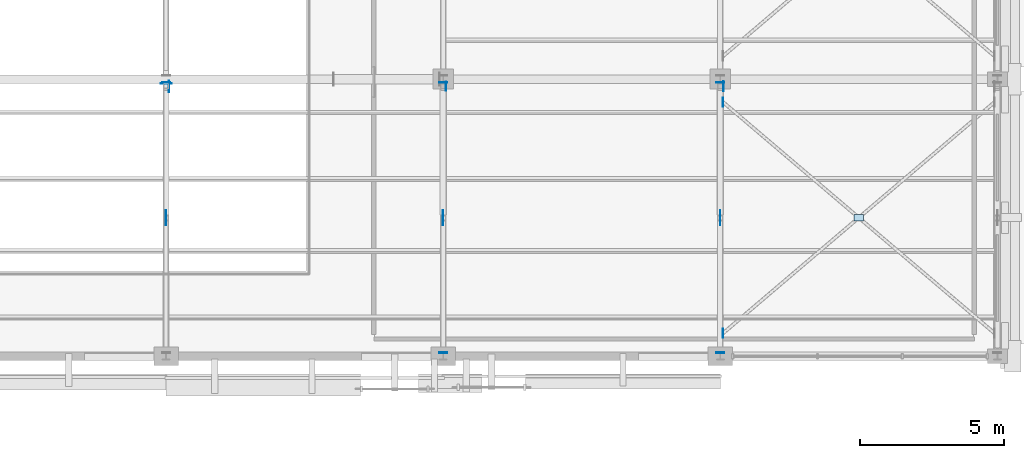
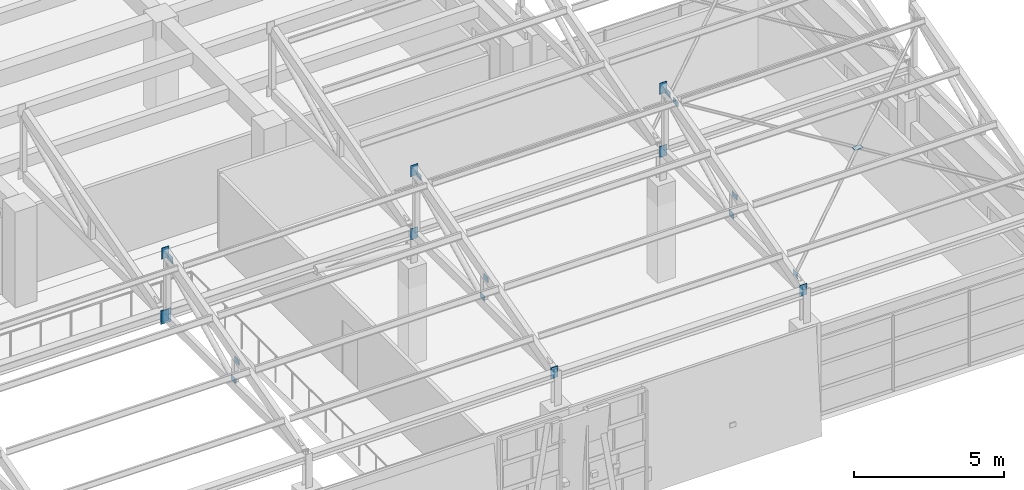
# One storey, part 40 of 58: 21 plates.
"""IFC4 building model written with IfcOpenShell, lengths in metres."""

from ifc_helpers import new_model, si_unit, direction, frame, origin, origin_2d, place, context, subcontext, project, spatial, rectangle, extrude, material, layer, layer_set, type_object, element, save


model = new_model("IFC4")

# Units and contexts
model_context = context("Model", 3, precision=1e-05, world=origin(), true_north=direction((0.0, 1.0)))
body_context = subcontext(model_context, "Body", "Model", "MODEL_VIEW")
ifc_project = project(units=[si_unit("LENGTHUNIT", "METRE"), si_unit("AREAUNIT", "SQUARE_METRE"), si_unit("VOLUMEUNIT", "CUBIC_METRE"), si_unit("PLANEANGLEUNIT", "RADIAN"), si_unit("MASSUNIT", "GRAM", prefix="KILO")], contexts=[model_context])

# Site, building, storey
site_placement = place(None, origin())
site = spatial("IfcSite", under=ifc_project, at=site_placement, CompositionType="ELEMENT")
building_placement = place(site_placement, origin())
building = spatial("IfcBuilding", under=site, at=building_placement, Name="Bempovik Park Faculty of Sciences", CompositionType="ELEMENT")
storey_placement = place(building_placement, frame((0.0, 0.0, 18.300048828125)))
storey = spatial("IfcBuildingStorey", under=building, at=storey_placement, Name="L04", CompositionType="ELEMENT", Elevation=18.300048828125)

# Plates
ifc_material = material(Name="Steel S355", Category="steel")
ifc_layer_1 = layer(ifc_material, 0.01611328125)
ifc_layer_set_1 = layer_set([ifc_layer_1], Name="Steel S355")
plate_type_1 = type_object("IfcPlateType", Name="PL-18 Steel Plate 400x280x16", PredefinedType="SHEET", material=ifc_layer_set_1)
plate_1_placement = place(storey_placement, frame((98.506103515625, 77.14990234375, 7.4345703125), z_axis=(0.0, 0.0, 1.0), x_axis=(1.0, 0.0, 0.0)))
element("IfcPlate", 1, at=plate_1_placement, inside=storey, type_object=plate_type_1, Name="Sawtooth Ridge Gusset Plate V2-B1-98.4", PredefinedType="SHEET", context=body_context, shape_type="SweptSolid", body=[
    extrude(rectangle(XDim=0.01611328125, YDim=0.39990234375, at=origin_2d()), origin(), (0.0, 0.0, 1.0), 0.280029296875),
])
ifc_layer_2 = layer(ifc_material, 0.01611328125)
ifc_layer_set_2 = layer_set([ifc_layer_2], Name="Steel S355")
plate_type_2 = type_object("IfcPlateType", Name="PL-19 Steel Plate 350x240x16", PredefinedType="USERDEFINED", material=ifc_layer_set_2)
plate_2_placement = place(storey_placement, frame((117.7060546875, 77.14990234375, 7.45458984375), z_axis=(0.0, 0.0, 1.0), x_axis=(1.0, 0.0, 0.0)))
element("IfcPlate", 2, at=plate_2_placement, inside=storey, type_object=plate_type_2, Name="Sawtooth Ridge Gusset Plate V2-B1-117.6", ObjectType="STIFFENER PLATE", PredefinedType="USERDEFINED", context=body_context, shape_type="SweptSolid", body=[
    extrude(rectangle(XDim=0.01611328125, YDim=0.35009765625, at=origin_2d()), origin(), (0.0, 0.0, 1.0), 0.239990234375),
])
ifc_layer_3 = layer(ifc_material, 0.02392578125)
ifc_layer_set_3 = layer_set([ifc_layer_3], Name="Steel S355")
plate_type_3 = type_object("IfcPlateType", Name="PL-25 Steel Plate 560x380x24", PredefinedType="SHEET", material=ifc_layer_set_3)
plate_3_placement = place(storey_placement, frame((98.39990234375, 77.251953125, 4.89990234375), z_axis=(0.0, 0.0, 1.0), x_axis=(1.0, 0.0, 0.0)))
element("IfcPlate", 3, at=plate_3_placement, inside=storey, type_object=plate_type_3, Name="V2 Sawtooth Bottom Chord End Cap (98.4)", PredefinedType="SHEET", context=body_context, shape_type="SweptSolid", body=[
    extrude(rectangle(XDim=0.3798828125, YDim=0.02392578125, at=origin_2d()), origin(), (0.0, 0.0, 1.0), 0.56005859375),
])
ifc_layer_4 = layer(ifc_material, 0.011962890625)
ifc_layer_set_4 = layer_set([ifc_layer_4], Name="Steel S355")
plate_type_4 = type_object("IfcPlateType", Name="PL-26 Steel Plate 320x220x12", PredefinedType="SHEET", material=ifc_layer_set_4)
plate_4_placement = place(storey_placement, frame((108.10400390625, 77.14990234375, 7.46435546875), z_axis=(0.0, 0.0, 1.0), x_axis=(1.0, 0.0, 0.0)))
element("IfcPlate", 4, at=plate_4_placement, inside=storey, type_object=plate_type_4, Name="Sawtooth Ridge Gusset Plate V2-B1-108.0", PredefinedType="SHEET", context=body_context, shape_type="SweptSolid", body=[
    extrude(rectangle(XDim=0.011962890625, YDim=0.320068359375, at=origin_2d()), origin(), (0.0, 0.0, 1.0), 0.219970703125),
])
plate_5_placement = place(storey_placement, frame((122.39990234375, 72.60009765625, 6.46240234375), z_axis=(0.0, 0.0, 1.0), x_axis=(1.0, 0.0, 0.0)))
element("IfcPlate", 5, at=plate_5_placement, inside=storey, type_object=plate_type_4, Name="Sawtooth X-Brace Crossing Node Gusset V2-B1-117.6", PredefinedType="SHEET", context=body_context, shape_type="SweptSolid", body=[
    extrude(rectangle(XDim=0.320068359375, YDim=0.219970703125, at=origin_2d()), origin(), (0.0, 0.0, 1.0), 0.011962890625),
])
for number, where, z_axis, x_axis, name in (
    (6, (117.696044921875, 68.60009765625, 5.28662109375), (0.0, 0.0, 1.0), (1.0, 0.0, 0.0), "Sawtooth X-Brace End Gusset V2-B1-117.6-1"),
    (7, (117.696044921875, 76.60009765625, 7.43017578125), (0.0, 0.0, 1.0), (1.0, 0.0, 0.0), "Sawtooth X-Brace End Gusset V2-B1-117.6-3"),
    (8, (98.39990234375, 72.4951171875, 6.138671875), (0.0, 0.0, 1.0), (1.0, 0.0, 0.0), "Brace/Strut End Gusset Plate SAW-V2-B1-D1-984-E2"),
    (9, (98.39990234375, 72.705078125, 5.2509765625), (0.0, 0.0, 1.0), (1.0, 0.0, 0.0), "Brace/Strut End Gusset Plate SAW-V2-B1-D2-984-E1"),
    (10, (108.0, 72.4951171875, 6.138671875), (0.0, 0.0, 1.0), (1.0, 0.0, 0.0), "Brace/Strut End Gusset Plate SAW-V2-B1-D1-1080-E2"),
    (11, (108.0, 72.705078125, 5.2509765625), (0.0, 0.0, 1.0), (1.0, 0.0, 0.0), "Brace/Strut End Gusset Plate SAW-V2-B1-D2-1080-E1"),
    (12, (117.60009765625, 72.4951171875, 6.138671875), (0.0, 0.0, 1.0), (1.0, 0.0, 0.0), "Brace/Strut End Gusset Plate SAW-V2-B1-D1-1176-E2"),
    (13, (117.60009765625, 72.705078125, 5.2509765625), (0.0, 0.0, 1.0), (1.0, 0.0, 0.0), "Brace/Strut End Gusset Plate SAW-V2-B1-D2-1176-E1"),
):
    element("IfcPlate", number, at=place(storey_placement, frame(where, z_axis=z_axis, x_axis=x_axis)), inside=storey, type_object=plate_type_4, Name=name, PredefinedType="SHEET", context=body_context, shape_type="SweptSolid", body=[
        extrude(rectangle(XDim=0.011962890625, YDim=0.320068359375, at=origin_2d()), origin(), (0.0, 0.0, 1.0), 0.219970703125),
    ])
ifc_layer_5 = layer(ifc_material, 0.02001953125)
ifc_layer_set_5 = layer_set([ifc_layer_5], Name="Steel S355")
plate_type_5 = type_object("IfcPlateType", Name="PL-36 Steel Plate 450x280x20", PredefinedType="USERDEFINED", material=ifc_layer_set_5)
for number, where, z_axis, x_axis, name in (
    (14, (98.39990234375, 77.278076171875, 7.52978515625), (0.0, 0.0, 1.0), (1.0, 0.0, 0.0), "Atrium Sawtooth Rafter End Cap V2-B1-98.4"),
    (15, (98.39990234375, 77.278076171875, 4.955078125), (0.0, 0.0, 1.0), (1.0, 0.0, 0.0), "Atrium Sawtooth Bottom Chord End Cap V2-B1-98.4"),
    (16, (108.0, 77.278076171875, 7.52978515625), (0.0, 0.0, 1.0), (1.0, 0.0, 0.0), "Atrium Sawtooth Rafter End Cap V2-B1-108.0"),
    (17, (108.0, 67.922119140625, 4.95751953125), (0.0, 0.0, 1.0), (1.0, 0.0, 0.0), "Atrium Sawtooth Valley Rafter End Cap V2-B1-108.0"),
    (18, (108.0, 77.278076171875, 4.955078125), (0.0, 0.0, 1.0), (1.0, 0.0, 0.0), "Atrium Sawtooth Bottom Chord End Cap V2-B1-108.0"),
    (19, (117.60009765625, 77.278076171875, 7.52978515625), (0.0, 0.0, 1.0), (1.0, 0.0, 0.0), "Atrium Sawtooth Rafter End Cap V2-B1-117.6"),
    (20, (117.60009765625, 67.922119140625, 4.95751953125), (0.0, 0.0, 1.0), (1.0, 0.0, 0.0), "Atrium Sawtooth Valley Rafter End Cap V2-B1-117.6"),
    (21, (117.60009765625, 77.278076171875, 4.955078125), (0.0, 0.0, 1.0), (1.0, 0.0, 0.0), "Atrium Sawtooth Bottom Chord End Cap V2-B1-117.6"),
):
    element("IfcPlate", number, at=place(storey_placement, frame(where, z_axis=z_axis, x_axis=x_axis)), inside=storey, type_object=plate_type_5, Name=name, ObjectType="STIFFENER PLATE", PredefinedType="USERDEFINED", context=body_context, shape_type="SweptSolid", body=[
        extrude(rectangle(XDim=0.280029296875, YDim=0.02001953125, at=origin_2d()), origin(), (0.0, 0.0, 1.0), 0.449951171875),
    ])

save(model, "model.ifc")
